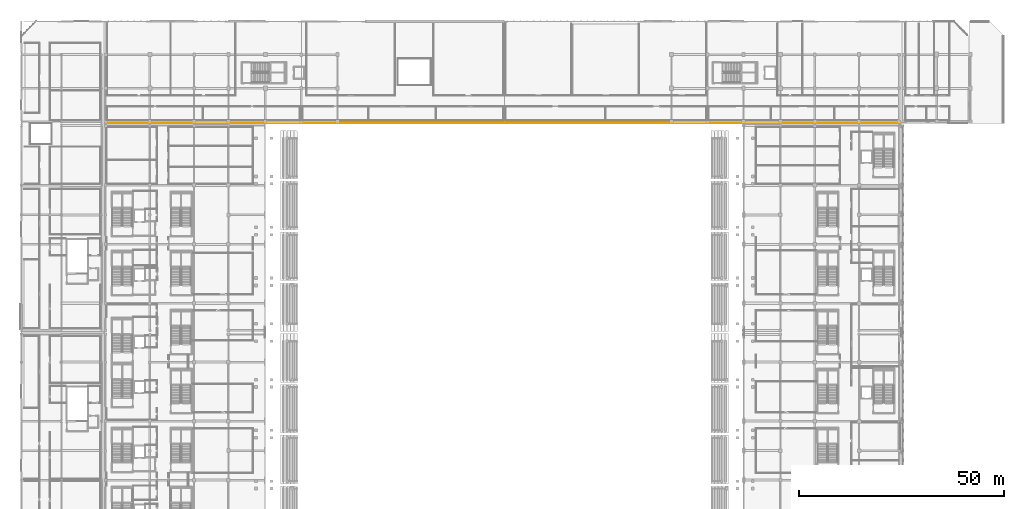
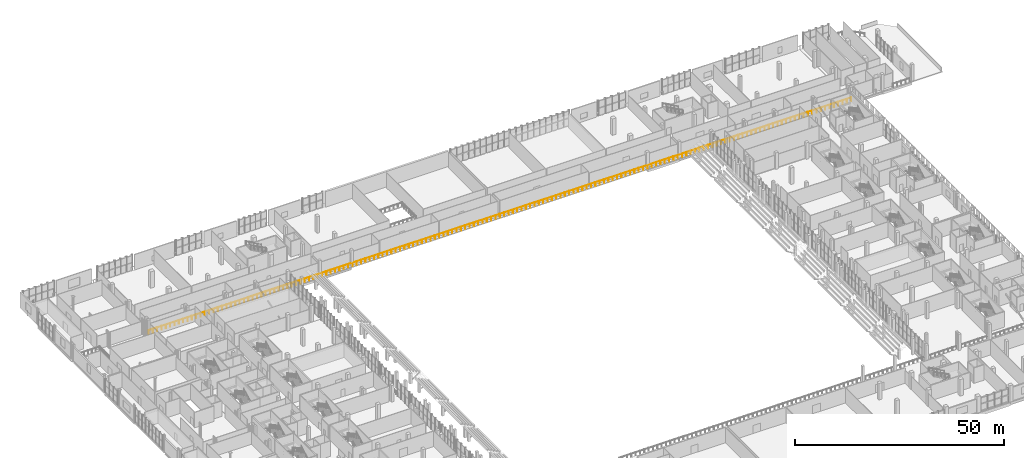
# One storey, part 127 of 142: 1 railing.
"""IFC4 building model written with IfcOpenShell, lengths in metres."""

from ifc_helpers import new_model, si_unit, direction, frame, origin, origin_2d, place, context, subcontext, project, spatial, circle, extrude, material, type_object, element, save


model = new_model("IFC4")

# Units and contexts
model_context = context("Model", 3, precision=1e-05, world=origin(), true_north=direction((0.0, 1.0)))
body_context = subcontext(model_context, "Body", "Model", "MODEL_VIEW")
ifc_project = project(units=[si_unit("LENGTHUNIT", "METRE"), si_unit("AREAUNIT", "SQUARE_METRE"), si_unit("VOLUMEUNIT", "CUBIC_METRE"), si_unit("PLANEANGLEUNIT", "RADIAN"), si_unit("MASSUNIT", "GRAM", prefix="KILO")], contexts=[model_context])

# Site, building, storey
site_placement = place(None, origin())
site = spatial("IfcSite", under=ifc_project, at=site_placement, CompositionType="ELEMENT")
building_placement = place(site_placement, origin())
building = spatial("IfcBuilding", under=site, at=building_placement, Name="Koshinbarg Plaza Stadium", CompositionType="ELEMENT")
storey_placement = place(building_placement, frame((0.0, 0.0, 10.199951171875)))
storey = spatial("IfcBuildingStorey", under=building, at=storey_placement, Name="L02", CompositionType="ELEMENT", Elevation=10.199951171875)

# Railing
ifc_material = material(Name="Toughened laminated glass and stainless steel sightline balustrade", Category="steel")
railing_type = type_object("IfcRailingType", Name="RL-BOWL-1100", PredefinedType="BALUSTRADE", material=ifc_material)
railing_placement = place(storey_placement, frame((25.0, 127.1201171875, 0.0)))
element("IfcRailing", 1, at=railing_placement, inside=storey, type_object=railing_type, Name="L02 bowl concourse sightline balustrade 0020", PredefinedType="BALUSTRADE", context=body_context, shape_type="SweptSolid", body=[
    extrude(circle(Radius=0.02392578125, at=origin_2d()), frame((0.0, 0.0, 1.076171875), z_axis=(1.0, 0.0, 0.0), x_axis=(0.0, 1.0, 0.0)), (0.0, 0.0, 1.0), 193.89990234375),
    extrude(circle(Radius=0.02099609375, at=origin_2d()), origin(), (0.0, 0.0, 1.0), 1.052001953125),
    extrude(circle(Radius=0.02099609375, at=origin_2d()), frame((1.197021484375, 0.0, 0.0)), (0.0, 0.0, 1.0), 1.052001953125),
    extrude(circle(Radius=0.02099609375, at=origin_2d()), frame((2.393798828125, 0.0, 0.0)), (0.0, 0.0, 1.0), 1.052001953125),
    extrude(circle(Radius=0.02099609375, at=origin_2d()), frame((3.5908203125, 0.0, 0.0)), (0.0, 0.0, 1.0), 1.052001953125),
    extrude(circle(Radius=0.02099609375, at=origin_2d()), frame((4.78759765625, 0.0, 0.0)), (0.0, 0.0, 1.0), 1.052001953125),
    extrude(circle(Radius=0.02099609375, at=origin_2d()), frame((5.984619140625, 0.0, 0.0)), (0.0, 0.0, 1.0), 1.052001953125),
    extrude(circle(Radius=0.02099609375, at=origin_2d()), frame((7.181396484375, 0.0, 0.0)), (0.0, 0.0, 1.0), 1.052001953125),
    extrude(circle(Radius=0.02099609375, at=origin_2d()), frame((8.37841796875, 0.0, 0.0)), (0.0, 0.0, 1.0), 1.052001953125),
    extrude(circle(Radius=0.02099609375, at=origin_2d()), frame((9.5751953125, 0.0, 0.0)), (0.0, 0.0, 1.0), 1.052001953125),
    extrude(circle(Radius=0.02099609375, at=origin_2d()), frame((10.772216796875, 0.0, 0.0)), (0.0, 0.0, 1.0), 1.052001953125),
    extrude(circle(Radius=0.02099609375, at=origin_2d()), frame((11.96923828125, 0.0, 0.0)), (0.0, 0.0, 1.0), 1.052001953125),
    extrude(circle(Radius=0.02099609375, at=origin_2d()), frame((13.166015625, 0.0, 0.0)), (0.0, 0.0, 1.0), 1.052001953125),
    extrude(circle(Radius=0.02099609375, at=origin_2d()), frame((14.363037109375, 0.0, 0.0)), (0.0, 0.0, 1.0), 1.052001953125),
    extrude(circle(Radius=0.02099609375, at=origin_2d()), frame((15.559814453125, 0.0, 0.0)), (0.0, 0.0, 1.0), 1.052001953125),
    extrude(circle(Radius=0.02099609375, at=origin_2d()), frame((16.7568359375, 0.0, 0.0)), (0.0, 0.0, 1.0), 1.052001953125),
    extrude(circle(Radius=0.02099609375, at=origin_2d()), frame((17.95361328125, 0.0, 0.0)), (0.0, 0.0, 1.0), 1.052001953125),
    extrude(circle(Radius=0.02099609375, at=origin_2d()), frame((19.150634765625, 0.0, 0.0)), (0.0, 0.0, 1.0), 1.052001953125),
    extrude(circle(Radius=0.02099609375, at=origin_2d()), frame((20.347412109375, 0.0, 0.0)), (0.0, 0.0, 1.0), 1.052001953125),
    extrude(circle(Radius=0.02099609375, at=origin_2d()), frame((21.54443359375, 0.0, 0.0)), (0.0, 0.0, 1.0), 1.052001953125),
    extrude(circle(Radius=0.02099609375, at=origin_2d()), frame((22.741455078125, 0.0, 0.0)), (0.0, 0.0, 1.0), 1.052001953125),
    extrude(circle(Radius=0.02099609375, at=origin_2d()), frame((23.938232421875, 0.0, 0.0)), (0.0, 0.0, 1.0), 1.052001953125),
    extrude(circle(Radius=0.02099609375, at=origin_2d()), frame((25.13525390625, 0.0, 0.0)), (0.0, 0.0, 1.0), 1.052001953125),
    extrude(circle(Radius=0.02099609375, at=origin_2d()), frame((26.33203125, 0.0, 0.0)), (0.0, 0.0, 1.0), 1.052001953125),
    extrude(circle(Radius=0.02099609375, at=origin_2d()), frame((27.529052734375, 0.0, 0.0)), (0.0, 0.0, 1.0), 1.052001953125),
    extrude(circle(Radius=0.02099609375, at=origin_2d()), frame((28.725830078125, 0.0, 0.0)), (0.0, 0.0, 1.0), 1.052001953125),
    extrude(circle(Radius=0.02099609375, at=origin_2d()), frame((29.9228515625, 0.0, 0.0)), (0.0, 0.0, 1.0), 1.052001953125),
    extrude(circle(Radius=0.02099609375, at=origin_2d()), frame((31.11962890625, 0.0, 0.0)), (0.0, 0.0, 1.0), 1.052001953125),
    extrude(circle(Radius=0.02099609375, at=origin_2d()), frame((32.316650390625, 0.0, 0.0)), (0.0, 0.0, 1.0), 1.052001953125),
    extrude(circle(Radius=0.02099609375, at=origin_2d()), frame((33.513671875, 0.0, 0.0)), (0.0, 0.0, 1.0), 1.052001953125),
    extrude(circle(Radius=0.02099609375, at=origin_2d()), frame((34.71044921875, 0.0, 0.0)), (0.0, 0.0, 1.0), 1.052001953125),
    extrude(circle(Radius=0.02099609375, at=origin_2d()), frame((35.907470703125, 0.0, 0.0)), (0.0, 0.0, 1.0), 1.052001953125),
    extrude(circle(Radius=0.02099609375, at=origin_2d()), frame((37.104248046875, 0.0, 0.0)), (0.0, 0.0, 1.0), 1.052001953125),
    extrude(circle(Radius=0.02099609375, at=origin_2d()), frame((38.30126953125, 0.0, 0.0)), (0.0, 0.0, 1.0), 1.052001953125),
    extrude(circle(Radius=0.02099609375, at=origin_2d()), frame((39.498046875, 0.0, 0.0)), (0.0, 0.0, 1.0), 1.052001953125),
    extrude(circle(Radius=0.02099609375, at=origin_2d()), frame((40.695068359375, 0.0, 0.0)), (0.0, 0.0, 1.0), 1.052001953125),
    extrude(circle(Radius=0.02099609375, at=origin_2d()), frame((41.891845703125, 0.0, 0.0)), (0.0, 0.0, 1.0), 1.052001953125),
    extrude(circle(Radius=0.02099609375, at=origin_2d()), frame((43.0888671875, 0.0, 0.0)), (0.0, 0.0, 1.0), 1.052001953125),
    extrude(circle(Radius=0.02099609375, at=origin_2d()), frame((44.285888671875, 0.0, 0.0)), (0.0, 0.0, 1.0), 1.052001953125),
    extrude(circle(Radius=0.02099609375, at=origin_2d()), frame((45.482666015625, 0.0, 0.0)), (0.0, 0.0, 1.0), 1.052001953125),
    extrude(circle(Radius=0.02099609375, at=origin_2d()), frame((46.6796875, 0.0, 0.0)), (0.0, 0.0, 1.0), 1.052001953125),
    extrude(circle(Radius=0.02099609375, at=origin_2d()), frame((47.87646484375, 0.0, 0.0)), (0.0, 0.0, 1.0), 1.052001953125),
    extrude(circle(Radius=0.02099609375, at=origin_2d()), frame((49.073486328125, 0.0, 0.0)), (0.0, 0.0, 1.0), 1.052001953125),
    extrude(circle(Radius=0.02099609375, at=origin_2d()), frame((50.270263671875, 0.0, 0.0)), (0.0, 0.0, 1.0), 1.052001953125),
    extrude(circle(Radius=0.02099609375, at=origin_2d()), frame((51.46728515625, 0.0, 0.0)), (0.0, 0.0, 1.0), 1.052001953125),
    extrude(circle(Radius=0.02099609375, at=origin_2d()), frame((52.6640625, 0.0, 0.0)), (0.0, 0.0, 1.0), 1.052001953125),
    extrude(circle(Radius=0.02099609375, at=origin_2d()), frame((53.861083984375, 0.0, 0.0)), (0.0, 0.0, 1.0), 1.052001953125),
    extrude(circle(Radius=0.02099609375, at=origin_2d()), frame((55.05810546875, 0.0, 0.0)), (0.0, 0.0, 1.0), 1.052001953125),
    extrude(circle(Radius=0.02099609375, at=origin_2d()), frame((56.2548828125, 0.0, 0.0)), (0.0, 0.0, 1.0), 1.052001953125),
    extrude(circle(Radius=0.02099609375, at=origin_2d()), frame((57.451904296875, 0.0, 0.0)), (0.0, 0.0, 1.0), 1.052001953125),
    extrude(circle(Radius=0.02099609375, at=origin_2d()), frame((58.648681640625, 0.0, 0.0)), (0.0, 0.0, 1.0), 1.052001953125),
    extrude(circle(Radius=0.02099609375, at=origin_2d()), frame((59.845703125, 0.0, 0.0)), (0.0, 0.0, 1.0), 1.052001953125),
    extrude(circle(Radius=0.02099609375, at=origin_2d()), frame((61.04248046875, 0.0, 0.0)), (0.0, 0.0, 1.0), 1.052001953125),
    extrude(circle(Radius=0.02099609375, at=origin_2d()), frame((62.239501953125, 0.0, 0.0)), (0.0, 0.0, 1.0), 1.052001953125),
    extrude(circle(Radius=0.02099609375, at=origin_2d()), frame((63.436279296875, 0.0, 0.0)), (0.0, 0.0, 1.0), 1.052001953125),
    extrude(circle(Radius=0.02099609375, at=origin_2d()), frame((64.63330078125, 0.0, 0.0)), (0.0, 0.0, 1.0), 1.052001953125),
    extrude(circle(Radius=0.02099609375, at=origin_2d()), frame((65.830322265625, 0.0, 0.0)), (0.0, 0.0, 1.0), 1.052001953125),
    extrude(circle(Radius=0.02099609375, at=origin_2d()), frame((67.027099609375, 0.0, 0.0)), (0.0, 0.0, 1.0), 1.052001953125),
    extrude(circle(Radius=0.02099609375, at=origin_2d()), frame((68.22412109375, 0.0, 0.0)), (0.0, 0.0, 1.0), 1.052001953125),
    extrude(circle(Radius=0.02099609375, at=origin_2d()), frame((69.4208984375, 0.0, 0.0)), (0.0, 0.0, 1.0), 1.052001953125),
    extrude(circle(Radius=0.02099609375, at=origin_2d()), frame((70.617919921875, 0.0, 0.0)), (0.0, 0.0, 1.0), 1.052001953125),
    extrude(circle(Radius=0.02099609375, at=origin_2d()), frame((71.814697265625, 0.0, 0.0)), (0.0, 0.0, 1.0), 1.052001953125),
    extrude(circle(Radius=0.02099609375, at=origin_2d()), frame((73.01171875, 0.0, 0.0)), (0.0, 0.0, 1.0), 1.052001953125),
    extrude(circle(Radius=0.02099609375, at=origin_2d()), frame((74.20849609375, 0.0, 0.0)), (0.0, 0.0, 1.0), 1.052001953125),
    extrude(circle(Radius=0.02099609375, at=origin_2d()), frame((75.405517578125, 0.0, 0.0)), (0.0, 0.0, 1.0), 1.052001953125),
    extrude(circle(Radius=0.02099609375, at=origin_2d()), frame((76.6025390625, 0.0, 0.0)), (0.0, 0.0, 1.0), 1.052001953125),
    extrude(circle(Radius=0.02099609375, at=origin_2d()), frame((77.79931640625, 0.0, 0.0)), (0.0, 0.0, 1.0), 1.052001953125),
    extrude(circle(Radius=0.02099609375, at=origin_2d()), frame((78.996337890625, 0.0, 0.0)), (0.0, 0.0, 1.0), 1.052001953125),
    extrude(circle(Radius=0.02099609375, at=origin_2d()), frame((80.193115234375, 0.0, 0.0)), (0.0, 0.0, 1.0), 1.052001953125),
    extrude(circle(Radius=0.02099609375, at=origin_2d()), frame((81.39013671875, 0.0, 0.0)), (0.0, 0.0, 1.0), 1.052001953125),
    extrude(circle(Radius=0.02099609375, at=origin_2d()), frame((82.5869140625, 0.0, 0.0)), (0.0, 0.0, 1.0), 1.052001953125),
    extrude(circle(Radius=0.02099609375, at=origin_2d()), frame((83.783935546875, 0.0, 0.0)), (0.0, 0.0, 1.0), 1.052001953125),
    extrude(circle(Radius=0.02099609375, at=origin_2d()), frame((84.980712890625, 0.0, 0.0)), (0.0, 0.0, 1.0), 1.052001953125),
    extrude(circle(Radius=0.02099609375, at=origin_2d()), frame((86.177734375, 0.0, 0.0)), (0.0, 0.0, 1.0), 1.052001953125),
    extrude(circle(Radius=0.02099609375, at=origin_2d()), frame((87.374755859375, 0.0, 0.0)), (0.0, 0.0, 1.0), 1.052001953125),
    extrude(circle(Radius=0.02099609375, at=origin_2d()), frame((88.571533203125, 0.0, 0.0)), (0.0, 0.0, 1.0), 1.052001953125),
    extrude(circle(Radius=0.02099609375, at=origin_2d()), frame((89.7685546875, 0.0, 0.0)), (0.0, 0.0, 1.0), 1.052001953125),
    extrude(circle(Radius=0.02099609375, at=origin_2d()), frame((90.96533203125, 0.0, 0.0)), (0.0, 0.0, 1.0), 1.052001953125),
    extrude(circle(Radius=0.02099609375, at=origin_2d()), frame((92.162353515625, 0.0, 0.0)), (0.0, 0.0, 1.0), 1.052001953125),
    extrude(circle(Radius=0.02099609375, at=origin_2d()), frame((93.359130859375, 0.0, 0.0)), (0.0, 0.0, 1.0), 1.052001953125),
    extrude(circle(Radius=0.02099609375, at=origin_2d()), frame((94.55615234375, 0.0, 0.0)), (0.0, 0.0, 1.0), 1.052001953125),
    extrude(circle(Radius=0.02099609375, at=origin_2d()), frame((95.7529296875, 0.0, 0.0)), (0.0, 0.0, 1.0), 1.052001953125),
    extrude(circle(Radius=0.02099609375, at=origin_2d()), frame((96.949951171875, 0.0, 0.0)), (0.0, 0.0, 1.0), 1.052001953125),
    extrude(circle(Radius=0.02099609375, at=origin_2d()), frame((98.14697265625, 0.0, 0.0)), (0.0, 0.0, 1.0), 1.052001953125),
    extrude(circle(Radius=0.02099609375, at=origin_2d()), frame((99.34375, 0.0, 0.0)), (0.0, 0.0, 1.0), 1.052001953125),
    extrude(circle(Radius=0.02099609375, at=origin_2d()), frame((100.540771484375, 0.0, 0.0)), (0.0, 0.0, 1.0), 1.052001953125),
    extrude(circle(Radius=0.02099609375, at=origin_2d()), frame((101.737548828125, 0.0, 0.0)), (0.0, 0.0, 1.0), 1.052001953125),
    extrude(circle(Radius=0.02099609375, at=origin_2d()), frame((102.9345703125, 0.0, 0.0)), (0.0, 0.0, 1.0), 1.052001953125),
    extrude(circle(Radius=0.02099609375, at=origin_2d()), frame((104.13134765625, 0.0, 0.0)), (0.0, 0.0, 1.0), 1.052001953125),
    extrude(circle(Radius=0.02099609375, at=origin_2d()), frame((105.328369140625, 0.0, 0.0)), (0.0, 0.0, 1.0), 1.052001953125),
    extrude(circle(Radius=0.02099609375, at=origin_2d()), frame((106.525146484375, 0.0, 0.0)), (0.0, 0.0, 1.0), 1.052001953125),
    extrude(circle(Radius=0.02099609375, at=origin_2d()), frame((107.72216796875, 0.0, 0.0)), (0.0, 0.0, 1.0), 1.052001953125),
    extrude(circle(Radius=0.02099609375, at=origin_2d()), frame((108.919189453125, 0.0, 0.0)), (0.0, 0.0, 1.0), 1.052001953125),
    extrude(circle(Radius=0.02099609375, at=origin_2d()), frame((110.115966796875, 0.0, 0.0)), (0.0, 0.0, 1.0), 1.052001953125),
    extrude(circle(Radius=0.02099609375, at=origin_2d()), frame((111.31298828125, 0.0, 0.0)), (0.0, 0.0, 1.0), 1.052001953125),
    extrude(circle(Radius=0.02099609375, at=origin_2d()), frame((112.509765625, 0.0, 0.0)), (0.0, 0.0, 1.0), 1.052001953125),
    extrude(circle(Radius=0.02099609375, at=origin_2d()), frame((113.706787109375, 0.0, 0.0)), (0.0, 0.0, 1.0), 1.052001953125),
    extrude(circle(Radius=0.02099609375, at=origin_2d()), frame((114.903564453125, 0.0, 0.0)), (0.0, 0.0, 1.0), 1.052001953125),
    extrude(circle(Radius=0.02099609375, at=origin_2d()), frame((116.1005859375, 0.0, 0.0)), (0.0, 0.0, 1.0), 1.052001953125),
    extrude(circle(Radius=0.02099609375, at=origin_2d()), frame((117.29736328125, 0.0, 0.0)), (0.0, 0.0, 1.0), 1.052001953125),
    extrude(circle(Radius=0.02099609375, at=origin_2d()), frame((118.494384765625, 0.0, 0.0)), (0.0, 0.0, 1.0), 1.052001953125),
    extrude(circle(Radius=0.02099609375, at=origin_2d()), frame((119.69140625, 0.0, 0.0)), (0.0, 0.0, 1.0), 1.052001953125),
    extrude(circle(Radius=0.02099609375, at=origin_2d()), frame((120.88818359375, 0.0, 0.0)), (0.0, 0.0, 1.0), 1.052001953125),
    extrude(circle(Radius=0.02099609375, at=origin_2d()), frame((122.085205078125, 0.0, 0.0)), (0.0, 0.0, 1.0), 1.052001953125),
    extrude(circle(Radius=0.02099609375, at=origin_2d()), frame((123.281982421875, 0.0, 0.0)), (0.0, 0.0, 1.0), 1.052001953125),
    extrude(circle(Radius=0.02099609375, at=origin_2d()), frame((124.47900390625, 0.0, 0.0)), (0.0, 0.0, 1.0), 1.052001953125),
    extrude(circle(Radius=0.02099609375, at=origin_2d()), frame((125.67578125, 0.0, 0.0)), (0.0, 0.0, 1.0), 1.052001953125),
    extrude(circle(Radius=0.02099609375, at=origin_2d()), frame((126.872802734375, 0.0, 0.0)), (0.0, 0.0, 1.0), 1.052001953125),
    extrude(circle(Radius=0.02099609375, at=origin_2d()), frame((128.069580078125, 0.0, 0.0)), (0.0, 0.0, 1.0), 1.052001953125),
    extrude(circle(Radius=0.02099609375, at=origin_2d()), frame((129.2666015625, 0.0, 0.0)), (0.0, 0.0, 1.0), 1.052001953125),
    extrude(circle(Radius=0.02099609375, at=origin_2d()), frame((130.463623046875, 0.0, 0.0)), (0.0, 0.0, 1.0), 1.052001953125),
    extrude(circle(Radius=0.02099609375, at=origin_2d()), frame((131.660400390625, 0.0, 0.0)), (0.0, 0.0, 1.0), 1.052001953125),
    extrude(circle(Radius=0.02099609375, at=origin_2d()), frame((132.857421875, 0.0, 0.0)), (0.0, 0.0, 1.0), 1.052001953125),
    extrude(circle(Radius=0.02099609375, at=origin_2d()), frame((134.05419921875, 0.0, 0.0)), (0.0, 0.0, 1.0), 1.052001953125),
    extrude(circle(Radius=0.02099609375, at=origin_2d()), frame((135.251220703125, 0.0, 0.0)), (0.0, 0.0, 1.0), 1.052001953125),
    extrude(circle(Radius=0.02099609375, at=origin_2d()), frame((136.447998046875, 0.0, 0.0)), (0.0, 0.0, 1.0), 1.052001953125),
    extrude(circle(Radius=0.02099609375, at=origin_2d()), frame((137.64501953125, 0.0, 0.0)), (0.0, 0.0, 1.0), 1.052001953125),
    extrude(circle(Radius=0.02099609375, at=origin_2d()), frame((138.841796875, 0.0, 0.0)), (0.0, 0.0, 1.0), 1.052001953125),
    extrude(circle(Radius=0.02099609375, at=origin_2d()), frame((140.038818359375, 0.0, 0.0)), (0.0, 0.0, 1.0), 1.052001953125),
    extrude(circle(Radius=0.02099609375, at=origin_2d()), frame((141.23583984375, 0.0, 0.0)), (0.0, 0.0, 1.0), 1.052001953125),
    extrude(circle(Radius=0.02099609375, at=origin_2d()), frame((142.4326171875, 0.0, 0.0)), (0.0, 0.0, 1.0), 1.052001953125),
    extrude(circle(Radius=0.02099609375, at=origin_2d()), frame((143.629638671875, 0.0, 0.0)), (0.0, 0.0, 1.0), 1.052001953125),
    extrude(circle(Radius=0.02099609375, at=origin_2d()), frame((144.826416015625, 0.0, 0.0)), (0.0, 0.0, 1.0), 1.052001953125),
    extrude(circle(Radius=0.02099609375, at=origin_2d()), frame((146.0234375, 0.0, 0.0)), (0.0, 0.0, 1.0), 1.052001953125),
    extrude(circle(Radius=0.02099609375, at=origin_2d()), frame((147.22021484375, 0.0, 0.0)), (0.0, 0.0, 1.0), 1.052001953125),
    extrude(circle(Radius=0.02099609375, at=origin_2d()), frame((148.417236328125, 0.0, 0.0)), (0.0, 0.0, 1.0), 1.052001953125),
    extrude(circle(Radius=0.02099609375, at=origin_2d()), frame((149.614013671875, 0.0, 0.0)), (0.0, 0.0, 1.0), 1.052001953125),
    extrude(circle(Radius=0.02099609375, at=origin_2d()), frame((150.81103515625, 0.0, 0.0)), (0.0, 0.0, 1.0), 1.052001953125),
    extrude(circle(Radius=0.02099609375, at=origin_2d()), frame((152.008056640625, 0.0, 0.0)), (0.0, 0.0, 1.0), 1.052001953125),
    extrude(circle(Radius=0.02099609375, at=origin_2d()), frame((153.204833984375, 0.0, 0.0)), (0.0, 0.0, 1.0), 1.052001953125),
    extrude(circle(Radius=0.02099609375, at=origin_2d()), frame((154.40185546875, 0.0, 0.0)), (0.0, 0.0, 1.0), 1.052001953125),
    extrude(circle(Radius=0.02099609375, at=origin_2d()), frame((155.5986328125, 0.0, 0.0)), (0.0, 0.0, 1.0), 1.052001953125),
    extrude(circle(Radius=0.02099609375, at=origin_2d()), frame((156.795654296875, 0.0, 0.0)), (0.0, 0.0, 1.0), 1.052001953125),
    extrude(circle(Radius=0.02099609375, at=origin_2d()), frame((157.992431640625, 0.0, 0.0)), (0.0, 0.0, 1.0), 1.052001953125),
    extrude(circle(Radius=0.02099609375, at=origin_2d()), frame((159.189453125, 0.0, 0.0)), (0.0, 0.0, 1.0), 1.052001953125),
    extrude(circle(Radius=0.02099609375, at=origin_2d()), frame((160.38623046875, 0.0, 0.0)), (0.0, 0.0, 1.0), 1.052001953125),
    extrude(circle(Radius=0.02099609375, at=origin_2d()), frame((161.583251953125, 0.0, 0.0)), (0.0, 0.0, 1.0), 1.052001953125),
    extrude(circle(Radius=0.02099609375, at=origin_2d()), frame((162.7802734375, 0.0, 0.0)), (0.0, 0.0, 1.0), 1.052001953125),
    extrude(circle(Radius=0.02099609375, at=origin_2d()), frame((163.97705078125, 0.0, 0.0)), (0.0, 0.0, 1.0), 1.052001953125),
    extrude(circle(Radius=0.02099609375, at=origin_2d()), frame((165.174072265625, 0.0, 0.0)), (0.0, 0.0, 1.0), 1.052001953125),
    extrude(circle(Radius=0.02099609375, at=origin_2d()), frame((166.370849609375, 0.0, 0.0)), (0.0, 0.0, 1.0), 1.052001953125),
    extrude(circle(Radius=0.02099609375, at=origin_2d()), frame((167.56787109375, 0.0, 0.0)), (0.0, 0.0, 1.0), 1.052001953125),
    extrude(circle(Radius=0.02099609375, at=origin_2d()), frame((168.7646484375, 0.0, 0.0)), (0.0, 0.0, 1.0), 1.052001953125),
    extrude(circle(Radius=0.02099609375, at=origin_2d()), frame((169.961669921875, 0.0, 0.0)), (0.0, 0.0, 1.0), 1.052001953125),
    extrude(circle(Radius=0.02099609375, at=origin_2d()), frame((171.158447265625, 0.0, 0.0)), (0.0, 0.0, 1.0), 1.052001953125),
    extrude(circle(Radius=0.02099609375, at=origin_2d()), frame((172.35546875, 0.0, 0.0)), (0.0, 0.0, 1.0), 1.052001953125),
    extrude(circle(Radius=0.02099609375, at=origin_2d()), frame((173.552490234375, 0.0, 0.0)), (0.0, 0.0, 1.0), 1.052001953125),
    extrude(circle(Radius=0.02099609375, at=origin_2d()), frame((174.749267578125, 0.0, 0.0)), (0.0, 0.0, 1.0), 1.052001953125),
    extrude(circle(Radius=0.02099609375, at=origin_2d()), frame((175.9462890625, 0.0, 0.0)), (0.0, 0.0, 1.0), 1.052001953125),
    extrude(circle(Radius=0.02099609375, at=origin_2d()), frame((177.14306640625, 0.0, 0.0)), (0.0, 0.0, 1.0), 1.052001953125),
    extrude(circle(Radius=0.02099609375, at=origin_2d()), frame((178.340087890625, 0.0, 0.0)), (0.0, 0.0, 1.0), 1.052001953125),
    extrude(circle(Radius=0.02099609375, at=origin_2d()), frame((179.536865234375, 0.0, 0.0)), (0.0, 0.0, 1.0), 1.052001953125),
    extrude(circle(Radius=0.02099609375, at=origin_2d()), frame((180.73388671875, 0.0, 0.0)), (0.0, 0.0, 1.0), 1.052001953125),
    extrude(circle(Radius=0.02099609375, at=origin_2d()), frame((181.9306640625, 0.0, 0.0)), (0.0, 0.0, 1.0), 1.052001953125),
    extrude(circle(Radius=0.02099609375, at=origin_2d()), frame((183.127685546875, 0.0, 0.0)), (0.0, 0.0, 1.0), 1.052001953125),
    extrude(circle(Radius=0.02099609375, at=origin_2d()), frame((184.32470703125, 0.0, 0.0)), (0.0, 0.0, 1.0), 1.052001953125),
    extrude(circle(Radius=0.02099609375, at=origin_2d()), frame((185.521484375, 0.0, 0.0)), (0.0, 0.0, 1.0), 1.052001953125),
    extrude(circle(Radius=0.02099609375, at=origin_2d()), frame((186.718505859375, 0.0, 0.0)), (0.0, 0.0, 1.0), 1.052001953125),
    extrude(circle(Radius=0.02099609375, at=origin_2d()), frame((187.915283203125, 0.0, 0.0)), (0.0, 0.0, 1.0), 1.052001953125),
    extrude(circle(Radius=0.02099609375, at=origin_2d()), frame((189.1123046875, 0.0, 0.0)), (0.0, 0.0, 1.0), 1.052001953125),
    extrude(circle(Radius=0.02099609375, at=origin_2d()), frame((190.30908203125, 0.0, 0.0)), (0.0, 0.0, 1.0), 1.052001953125),
    extrude(circle(Radius=0.02099609375, at=origin_2d()), frame((191.506103515625, 0.0, 0.0)), (0.0, 0.0, 1.0), 1.052001953125),
    extrude(circle(Radius=0.02099609375, at=origin_2d()), frame((192.702880859375, 0.0, 0.0)), (0.0, 0.0, 1.0), 1.052001953125),
    extrude(circle(Radius=0.02099609375, at=origin_2d()), frame((193.89990234375, 0.0, 0.0)), (0.0, 0.0, 1.0), 1.052001953125),
])

save(model, "model.ifc")
